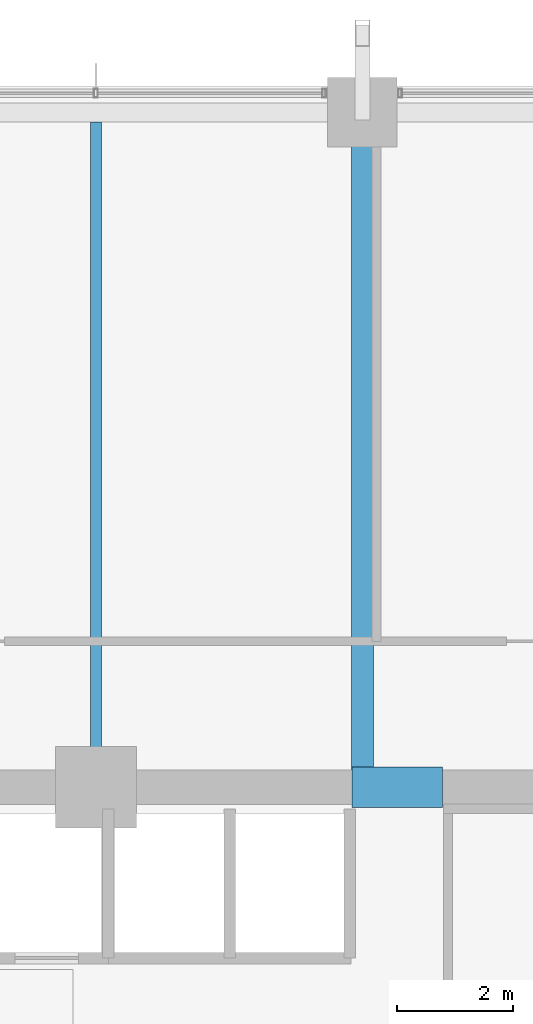
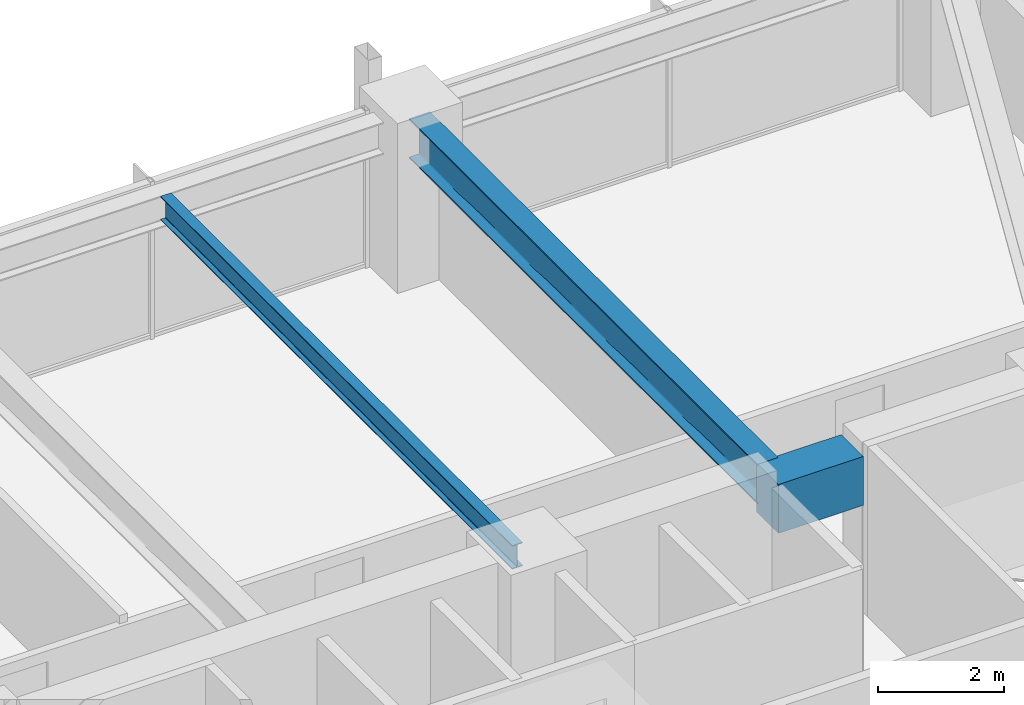
# One storey, part 22 of 38: 3 beams.
"""IFC4 building model written with IfcOpenShell, lengths in metres."""

import ifcopenshell
import ifcopenshell.guid

model = None  # the IFC model being written
_history = None  # IfcOwnerHistory: only IFC2X3 demands one
_inside = {}  # id of a spatial element -> (the spatial element, [elements in it])
_under = {}  # id of a project, library or spatial element -> (it, [spatial elements below it])
_declared = {}  # id of a project -> (the project, [libraries it declares])
_typed = {}  # id of a type object -> (the type object, [elements of that type])
_made_of = {}  # id of a material, layer set ... -> (it, [elements and type objects made of it])


def new_model(schema):
    """Start an empty IFC model of exactly this schema.

    Asked for "IFC4X3", IfcOpenShell would pick the latest addendum, in which some entities
    have other attributes; the version numbers below select the first issue.
    IFC2X3 requires an IfcOwnerHistory on every rooted entity: one is made here for all.
    """
    global model, _history
    if schema == "IFC4X3":
        model = ifcopenshell.file(schema_version=(4, 3, 0, 0))
    else:
        model = ifcopenshell.file(schema=schema)
    _inside.clear()
    _under.clear()
    _declared.clear()
    _typed.clear()
    _made_of.clear()
    _history = None
    if model.schema == "IFC2X3":
        org = make("IfcOrganization", Name="unknown")
        user = make(
            "IfcPersonAndOrganization",
            ThePerson=make("IfcPerson", FamilyName="unknown"),
            TheOrganization=org,
        )
        app = make(
            "IfcApplication",
            ApplicationDeveloper=org,
            Version="unknown",
            ApplicationFullName="unknown",
            ApplicationIdentifier="unknown",
        )
        _history = make(
            "IfcOwnerHistory",
            OwningUser=user,
            OwningApplication=app,
            ChangeAction="ADDED",
            CreationDate=0,
        )
    return model


def make(cls, **values):
    """One entity of the class cls with the attributes given. An attribute that is None is left unset."""
    return model.create_entity(
        cls, **{name: value for name, value in values.items() if value is not None}
    )


def rooted(cls, **values):
    """An entity with a GlobalId (a new one), such as an element, a storey or a relation."""
    return make(cls, GlobalId=ifcopenshell.guid.new(), OwnerHistory=_history, **values)


def si_unit(unit_type, name, prefix=None):
    """IfcSIUnit, for example si_unit("LENGTHUNIT", "METRE", prefix="MILLI")."""
    return make("IfcSIUnit", UnitType=unit_type, Prefix=prefix, Name=name)


def assignment(units):
    """IfcUnitAssignment: the units of a project."""
    return None if units is None else make("IfcUnitAssignment", Units=units)


def point(xyz):
    """IfcCartesianPoint."""
    return None if xyz is None else make("IfcCartesianPoint", Coordinates=xyz)


def direction(xyz):
    """IfcDirection."""
    return None if xyz is None else make("IfcDirection", DirectionRatios=xyz)


def frame(location, z_axis=None, x_axis=None):
    """IfcAxis2Placement3D, a coordinate frame: its origin and axes. An axis left out is left unset."""
    return make(
        "IfcAxis2Placement3D",
        Location=point(location),
        Axis=direction(z_axis),
        RefDirection=direction(x_axis),
    )


def frame_2d(location, x_axis=None):
    """IfcAxis2Placement2D, a coordinate frame in the plane: its origin and x axis."""
    return make(
        "IfcAxis2Placement2D", Location=point(location), RefDirection=direction(x_axis)
    )


def origin():
    """The frame at (0, 0, 0) with its axes left unset."""
    return frame((0.0, 0.0, 0.0))


def origin_2d():
    """The frame at (0, 0) in the plane with its x axis left unset."""
    return frame_2d((0.0, 0.0))


def place(relative_to, where):
    """IfcLocalPlacement: puts the frame where relative to a parent placement (None: the world)."""
    return make(
        "IfcLocalPlacement", PlacementRelTo=relative_to, RelativePlacement=where
    )


def context(
    kind, dimensions, precision=None, world=None, true_north=None, identifier=None
):
    """IfcGeometricRepresentationContext, for example the 3D "Model" context."""
    return make(
        "IfcGeometricRepresentationContext",
        ContextIdentifier=identifier,
        ContextType=kind,
        CoordinateSpaceDimension=dimensions,
        Precision=precision,
        WorldCoordinateSystem=world,
        TrueNorth=true_north,
    )


def subcontext(parent, identifier, kind, view, scale=None):
    """IfcGeometricRepresentationSubContext, for example "Body" below "Model"."""
    return make(
        "IfcGeometricRepresentationSubContext",
        ContextIdentifier=identifier,
        ContextType=kind,
        ParentContext=parent,
        TargetScale=scale,
        TargetView=view,
    )


def project(units=None, contexts=None):
    """IfcProject with its units and contexts."""
    return rooted(
        "IfcProject",
        Name="project",
        RepresentationContexts=contexts,
        UnitsInContext=assignment(units),
    )


def spatial(cls, under=None, at=None, **own):
    """A site, building, storey or space (cls), placed at a placement, below another one or the project."""
    s = rooted(cls, ObjectPlacement=at, **own)
    if under is not None:
        _under.setdefault(under.id(), (under, []))[1].append(s)
    return s


def profile(cls, at=None, kind="AREA", **sizes):
    """A parametric profile (cls). Its sizes go by their IFC names, for example OverallWidth=200.0."""
    return make(cls, ProfileType=kind, Position=at, **sizes)


def rectangle(**sizes):
    """IfcRectangleProfileDef."""
    return profile("IfcRectangleProfileDef", **sizes)


def i_section(**sizes):
    """IfcIShapeProfileDef."""
    return profile("IfcIShapeProfileDef", **sizes)


def extrude(swept, where, along, depth):
    """IfcExtrudedAreaSolid: the profile swept, set in the frame where, extruded along a direction by depth."""
    return make(
        "IfcExtrudedAreaSolid",
        SweptArea=swept,
        Position=where,
        ExtrudedDirection=direction(along),
        Depth=depth,
    )


def shape(context_of_items, identifier, shape_type, items):
    """IfcShapeRepresentation: the items that make up one representation, for example the "Body"."""
    return make(
        "IfcShapeRepresentation",
        ContextOfItems=context_of_items,
        RepresentationIdentifier=identifier,
        RepresentationType=shape_type,
        Items=items,
    )


def material(Name=None, Category=None):
    """IfcMaterial."""
    return make("IfcMaterial", Name=Name, Category=Category)


def material_profile(
    of_material, cross_section, Name=None, Category=None, Priority=None
):
    """IfcMaterialProfile: a cross section and its material."""
    return make(
        "IfcMaterialProfile",
        Name=Name,
        Material=of_material,
        Profile=cross_section,
        Priority=Priority,
        Category=Category,
    )


def profile_set(profiles, Name=None, composite=None):
    """IfcMaterialProfileSet."""
    return make(
        "IfcMaterialProfileSet",
        Name=Name,
        MaterialProfiles=profiles,
        CompositeProfile=composite,
    )


def made_of(thing, what):
    """Note that an element or type object is made of a material, layer set ...; save() writes the relation."""
    if what is not None:
        _made_of.setdefault(what.id(), (what, []))[1].append(thing)
    return thing


def type_object(cls, material=None, **own):
    """A type object (cls), such as IfcWallType, which elements share."""
    return made_of(rooted(cls, **own), material)


def element(
    cls,
    number,
    at=None,
    inside=None,
    cuts=None,
    type_object=None,
    material=None,
    context=None,
    identifier="Body",
    shape_type=None,
    held_by="IfcProductDefinitionShape",
    body=None,
    shapes=None,
    **own,
):
    """One element of the class cls, such as IfcWall. Its Tag is "e" and its number.

    at: its placement. inside: the storey or other place that contains it. cuts: it is an
    opening in that element (IfcRelVoidsElement). A single representation is given by context,
    identifier, shape_type and body (its items); several are given by shapes. held_by: the class
    of the entity that holds the representations. save() writes the other relations.
    """
    e = rooted(cls, Tag="e%d" % number, ObjectPlacement=at, **own)
    if body is not None:
        shapes = [shape(context, identifier, shape_type, body)]
    if shapes is not None:
        e.Representation = make(held_by, Representations=shapes)
    if inside is not None:
        _inside.setdefault(inside.id(), (inside, []))[1].append(e)
    if cuts is not None:
        rooted(
            "IfcRelVoidsElement", RelatingBuildingElement=cuts, RelatedOpeningElement=e
        )
    if type_object is not None:
        _typed.setdefault(type_object.id(), (type_object, []))[1].append(e)
    return made_of(e, material)


def aggregate(whole, parts):
    """IfcRelAggregates: a whole, such as a stair, and the parts it consists of."""
    return rooted("IfcRelAggregates", RelatingObject=whole, RelatedObjects=parts)


def save(model, path):
    """Write the relations noted so far, then the file.

    IfcRelAggregates (storeys below a building ...), IfcRelContainedInSpatialStructure (elements
    in a storey), IfcRelDefinesByType, IfcRelAssociatesMaterial and IfcRelDeclares: one each for
    every whole, place, type object, material and project.
    """
    for whole, parts in _under.values():
        aggregate(whole, parts)
    for where, things in _inside.values():
        rooted(
            "IfcRelContainedInSpatialStructure",
            RelatedElements=things,
            RelatingStructure=where,
        )
    for kind, things in _typed.values():
        rooted("IfcRelDefinesByType", RelatedObjects=things, RelatingType=kind)
    for what, things in _made_of.values():
        rooted("IfcRelAssociatesMaterial", RelatedObjects=things, RelatingMaterial=what)
    for by, libraries in _declared.values():
        rooted("IfcRelDeclares", RelatingContext=by, RelatedDefinitions=libraries)
    model.write(path)


model = new_model("IFC4")

# Units and contexts
model_context = context("Model", 3, precision=1e-05, world=origin(), true_north=direction((0.0, 1.0)))
body_context = subcontext(model_context, "Body", "Model", "MODEL_VIEW")
ifc_project = project(units=[si_unit("LENGTHUNIT", "METRE"), si_unit("AREAUNIT", "SQUARE_METRE"), si_unit("VOLUMEUNIT", "CUBIC_METRE"), si_unit("PLANEANGLEUNIT", "RADIAN"), si_unit("MASSUNIT", "GRAM", prefix="KILO")], contexts=[model_context])

# Site, building, storey
site_placement = place(None, origin())
site = spatial("IfcSite", under=ifc_project, at=site_placement, CompositionType="ELEMENT")
building_placement = place(site_placement, origin())
building = spatial("IfcBuilding", under=site, at=building_placement, Name="Kolvaren Belvedere", CompositionType="ELEMENT")
storey_placement = place(building_placement, frame((0.0, 0.0, 53.5)))
storey = spatial("IfcBuildingStorey", under=building, at=storey_placement, Name="L15", CompositionType="ELEMENT", Elevation=53.5)

# Beams
ifc_material_1 = material(Name="Structural steel ASTM A992 Grade 50", Category="steel")
ifc_material_profile_1 = material_profile(ifc_material_1, i_section(OverallWidth=0.381103515625, OverallDepth=0.77294921875, WebThickness=0.0166015625, FlangeThickness=0.027099609375, FilletRadius=0.02392578125, at=origin_2d()), Name="W30X173")
ifc_profile_set_1 = profile_set([ifc_material_profile_1], Name="Structural steel ASTM A992 Grade 50")
beam_type_1 = type_object("IfcBeamType", Name="BM-GIRD-W30X173", PredefinedType="BEAM", material=ifc_profile_set_1)
beam_1_placement = place(storey_placement, frame((4.60009765625, 10.199951171875, 2.673583984375), z_axis=(0.0, 1.0, 0.0), x_axis=(-1.0, 0.0, 0.0)))
element("IfcBeam", 1, at=beam_1_placement, inside=storey, type_object=beam_type_1, Name="L15 North Radial Girder P", PredefinedType="BEAM", context=body_context, shape_type="SweptSolid", body=[
    extrude(i_section(OverallWidth=0.381103515625, OverallDepth=0.77294921875, WebThickness=0.0166015625, FlangeThickness=0.027099609375, FilletRadius=0.02392578125, at=origin_2d()), origin(), (0.0, 0.0, 1.0), 11.080078125),
])
ifc_material_2 = material(Name="Structural steel ASTM A992 Grade 50", Category="steel")
ifc_material_profile_2 = material_profile(ifc_material_2, i_section(OverallWidth=0.19091796875, OverallDepth=0.4599609375, WebThickness=0.010009765625, FlangeThickness=0.01611328125, FilletRadius=0.014892578125, at=origin_2d()), Name="W18X55")
ifc_profile_set_2 = profile_set([ifc_material_profile_2], Name="Structural steel ASTM A992 Grade 50")
beam_type_2 = type_object("IfcBeamType", Name="BM-JOIST-W18X55", PredefinedType="BEAM", material=ifc_profile_set_2)
beam_2_placement = place(storey_placement, frame((0.0, 10.199951171875, 2.830078125), z_axis=(0.0, 1.0, 0.0), x_axis=(-1.0, 0.0, 0.0)))
element("IfcBeam", 2, at=beam_2_placement, inside=storey, type_object=beam_type_2, Name="L15 North Centre Floor Beam", PredefinedType="BEAM", context=body_context, shape_type="SweptSolid", body=[
    extrude(i_section(OverallWidth=0.19091796875, OverallDepth=0.4599609375, WebThickness=0.010009765625, FlangeThickness=0.01611328125, FilletRadius=0.014892578125, at=origin_2d()), origin(), (0.0, 0.0, 1.0), 11.1875),
])
ifc_material_3 = material(Name="Concrete C60/75", Category="concrete")
ifc_material_profile_3 = material_profile(ifc_material_3, rectangle(XDim=0.699951171875, YDim=0.949951171875, at=origin_2d()), Name="RC 700X950")
ifc_profile_set_3 = profile_set([ifc_material_profile_3], Name="Concrete C60/75")
beam_type_3 = type_object("IfcBeamType", Name="BM-LINT-950", PredefinedType="LINTEL", material=ifc_profile_set_3)
beam_3_placement = place(storey_placement, frame((4.419921875, 9.89990234375, 2.5849609375), z_axis=(1.0, 0.0, 0.0), x_axis=(0.0, 1.0, 0.0)))
element("IfcBeam", 3, at=beam_3_placement, inside=storey, type_object=beam_type_3, Name="L15 North Core Coupling Lintel", PredefinedType="LINTEL", context=body_context, shape_type="SweptSolid", body=[
    extrude(rectangle(XDim=0.699951171875, YDim=0.949951171875, at=origin_2d()), origin(), (0.0, 0.0, 1.0), 1.56005859375),
])

save(model, "model.ifc")
